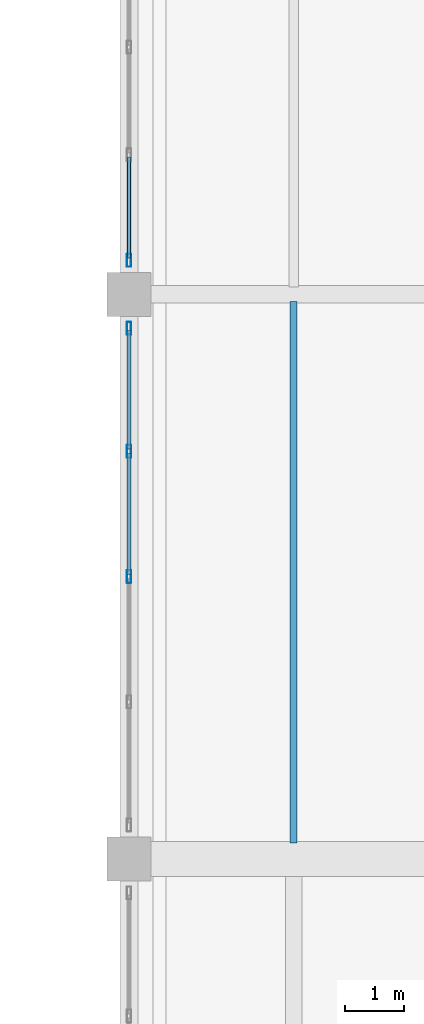
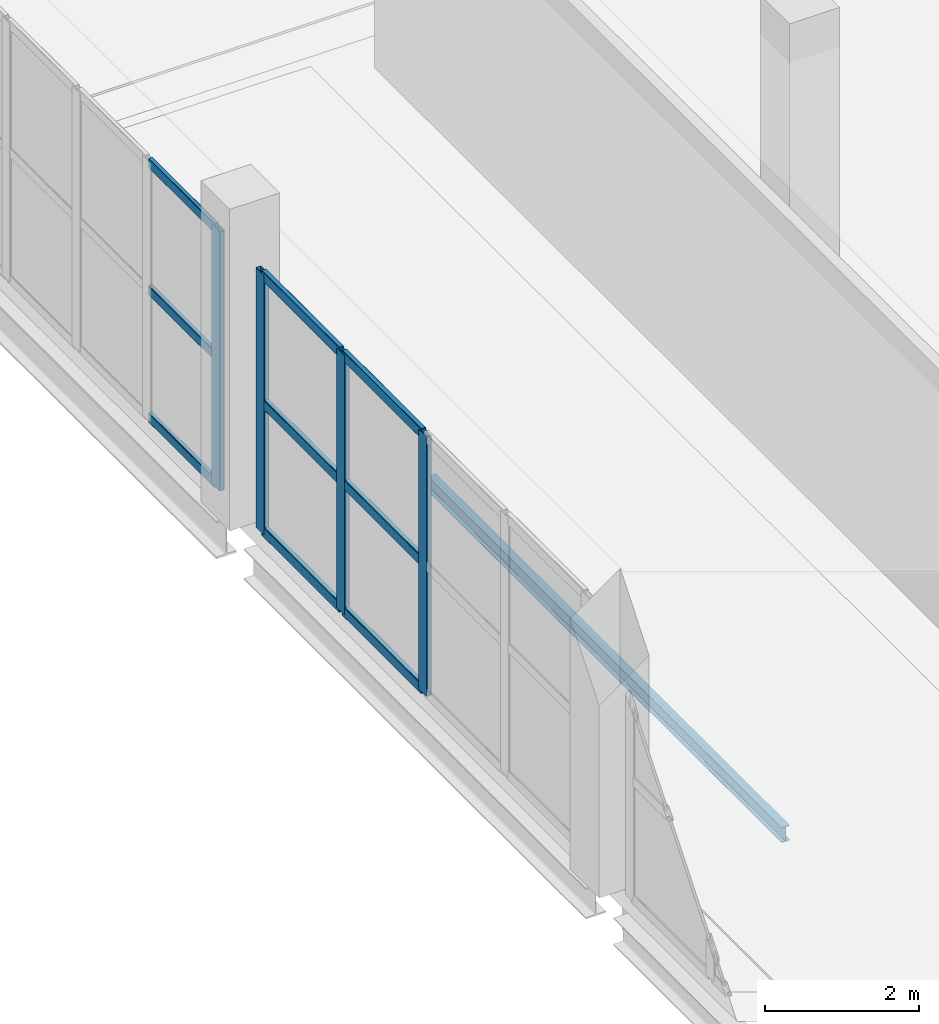
# One storey, part 46 of 77: 13 members, 1 beam, 2 elements without a shape of their own.
"""IFC4 building model written with IfcOpenShell, lengths in metres."""

from ifc_helpers import new_model, si_unit, direction, frame, origin, origin_2d, place, context, subcontext, project, spatial, hollow_rectangle, i_section, extrude, material, layer, layer_set, material_profile, profile_set, type_object, element, aggregate, save


model = new_model("IFC4")

# Units and contexts
model_context = context("Model", 3, precision=1e-05, world=origin(), true_north=direction((0.0, 1.0)))
body_context = subcontext(model_context, "Body", "Model", "MODEL_VIEW")
ifc_project = project(units=[si_unit("LENGTHUNIT", "METRE"), si_unit("AREAUNIT", "SQUARE_METRE"), si_unit("VOLUMEUNIT", "CUBIC_METRE"), si_unit("PLANEANGLEUNIT", "RADIAN"), si_unit("MASSUNIT", "GRAM", prefix="KILO")], contexts=[model_context])

# Site, building, storey
site_placement = place(None, origin())
site = spatial("IfcSite", under=ifc_project, at=site_placement, CompositionType="ELEMENT")
building_placement = place(site_placement, origin())
building = spatial("IfcBuilding", under=site, at=building_placement, Name="Zulmaris Art Gallery", CompositionType="ELEMENT")
storey_placement = place(building_placement, frame((0.0, 0.0, 15.60009765625)))
storey = spatial("IfcBuildingStorey", under=building, at=storey_placement, Name="L03", CompositionType="ELEMENT", Elevation=15.60009765625)

# Beam
ifc_material_1 = material(Name="Steel S355J2", Category="steel")
ifc_material_profile_1 = material_profile(ifc_material_1, i_section(OverallWidth=0.1201171875, OverallDepth=0.239990234375, WebThickness=0.006103515625, FlangeThickness=0.009765625, FilletRadius=0.014892578125, at=origin_2d()), Name="IPE 240")
ifc_profile_set_1 = profile_set([ifc_material_profile_1], Name="Steel S355J2")
beam_type = type_object("IfcBeamType", Name="BEAM-JS01", PredefinedType="JOIST", material=ifc_profile_set_1)
beam_placement = place(storey_placement, frame((186.39990234375, 41.074951171875, -0.489990234375), z_axis=(0.0, 1.0, 0.0), x_axis=(-1.0, 0.0, 0.0)))
element("IfcBeam", 1, at=beam_placement, inside=storey, type_object=beam_type, Name="L03 secondary joist at x=186.4", PredefinedType="JOIST", context=body_context, shape_type="SweptSolid", body=[
    extrude(i_section(OverallWidth=0.1201171875, OverallDepth=0.239990234375, WebThickness=0.006103515625, FlangeThickness=0.009765625, FilletRadius=0.014892578125, at=origin_2d()), origin(), (0.0, 0.0, 1.0), 9.199951171875),
])

# Curtain wall, members
ifc_material_2 = material(Name="Courtyard Artists Studio Curtain Wall", Category="aluminium")
ifc_layer = layer(ifc_material_2, 0.179931640625)
ifc_layer_set = layer_set([ifc_layer], Name="Courtyard Artists Studio Curtain Wall")
curtain_wall_type = type_object("IfcCurtainWallType", Name="CW-CW04", PredefinedType="NOTDEFINED", material=ifc_layer_set)
curtain_wall_1_placement = place(storey_placement, origin())
curtain_wall_1 = element("IfcCurtainWall", 2, at=curtain_wall_1_placement, inside=storey, type_object=curtain_wall_type, Name="L03 curtain wall 150", PredefinedType="NOTDEFINED")
ifc_material_3 = material(Name="Anodised Bronze Aluminium", Category="aluminium")
ifc_material_profile_2 = material_profile(ifc_material_3, hollow_rectangle(XDim=0.074951171875, YDim=0.219970703125, WallThickness=0.0048828125, InnerFilletRadius=0.007568359375, OuterFilletRadius=0.012451171875, at=origin_2d()), Name="ALU 75x220x5")
ifc_profile_set_2 = profile_set([ifc_material_profile_2], Name="Anodised Bronze Aluminium")
member_type_1 = type_object("IfcMemberType", Name="CWMUL-02", PredefinedType="MULLION", material=ifc_profile_set_2)
member_1_placement = place(storey_placement, frame((183.60009765625, 49.822509765625, 0.0), z_axis=(0.0, 0.0, 1.0), x_axis=(1.0, 0.0, 0.0)))
member_1 = element("IfcMember", 3, at=member_1_placement, type_object=member_type_1, Name="CW04 mullion 1", PredefinedType="MULLION", context=body_context, shape_type="SweptSolid", body=[
    extrude(hollow_rectangle(XDim=0.074951171875, YDim=0.219970703125, WallThickness=0.0048828125, InnerFilletRadius=0.007568359375, OuterFilletRadius=0.012451171875, at=origin_2d()), origin(), (0.0, 0.0, 1.0), 4.119873046875),
])
member_2_placement = place(storey_placement, frame((183.60009765625, 47.72998046875, 0.0), z_axis=(0.0, 0.0, 1.0), x_axis=(1.0, 0.0, 0.0)))
member_2 = element("IfcMember", 4, at=member_2_placement, type_object=member_type_1, Name="CW04 mullion 2", PredefinedType="MULLION", context=body_context, shape_type="SweptSolid", body=[
    extrude(hollow_rectangle(XDim=0.074951171875, YDim=0.219970703125, WallThickness=0.0048828125, InnerFilletRadius=0.007568359375, OuterFilletRadius=0.012451171875, at=origin_2d()), origin(), (0.0, 0.0, 1.0), 4.119873046875),
])
member_3_placement = place(storey_placement, frame((183.60009765625, 45.60009765625, 0.0), z_axis=(0.0, 0.0, 1.0), x_axis=(1.0, 0.0, 0.0)))
member_3 = element("IfcMember", 5, at=member_3_placement, type_object=member_type_1, Name="CW04 mullion 3", PredefinedType="MULLION", context=body_context, shape_type="SweptSolid", body=[
    extrude(hollow_rectangle(XDim=0.074951171875, YDim=0.219970703125, WallThickness=0.0048828125, InnerFilletRadius=0.007568359375, OuterFilletRadius=0.012451171875, at=origin_2d()), origin(), (0.0, 0.0, 1.0), 4.119873046875),
])

curtain_wall_2_placement = place(storey_placement, origin())
curtain_wall_2 = element("IfcCurtainWall", 6, at=curtain_wall_2_placement, inside=storey, type_object=curtain_wall_type, Name="L03 curtain wall 152", PredefinedType="NOTDEFINED")
member_4_placement = place(storey_placement, frame((183.60009765625, 50.9775390625, 0.0), z_axis=(0.0, 0.0, 1.0), x_axis=(1.0, 0.0, 0.0)))
member_4 = element("IfcMember", 7, at=member_4_placement, type_object=member_type_1, Name="CW04 mullion 5", PredefinedType="MULLION", context=body_context, shape_type="SweptSolid", body=[
    extrude(hollow_rectangle(XDim=0.074951171875, YDim=0.219970703125, WallThickness=0.0048828125, InnerFilletRadius=0.007568359375, OuterFilletRadius=0.012451171875, at=origin_2d()), origin(), (0.0, 0.0, 1.0), 4.10986328125),
])
ifc_material_profile_3 = material_profile(ifc_material_3, hollow_rectangle(XDim=0.06494140625, YDim=0.14990234375, WallThickness=0.00390625, InnerFilletRadius=0.006103515625, OuterFilletRadius=0.010009765625, at=origin_2d()), Name="ALU 65x150x4")
ifc_profile_set_3 = profile_set([ifc_material_profile_3], Name="Anodised Bronze Aluminium")
member_type_2 = type_object("IfcMemberType", Name="CWTRN-01", PredefinedType="USERDEFINED", material=ifc_profile_set_3)
member_5_placement = place(storey_placement, frame((183.60009765625, 52.732421875, 0.037353515625), z_axis=(0.0, -1.0, 0.0), x_axis=(1.0, 0.0, 0.0)))
member_5 = element("IfcMember", 8, at=member_5_placement, type_object=member_type_2, Name="CW04 transom 4.1", ObjectType="TRANSOM", PredefinedType="USERDEFINED", context=body_context, shape_type="SweptSolid", body=[
    extrude(hollow_rectangle(XDim=0.06494140625, YDim=0.14990234375, WallThickness=0.00390625, InnerFilletRadius=0.006103515625, OuterFilletRadius=0.010009765625, at=origin_2d()), origin(), (0.0, 0.0, 1.0), 1.717529296875),
])
member_6_placement = place(storey_placement, frame((183.60009765625, 52.732421875, 2.054931640625), z_axis=(0.0, -1.0, 0.0), x_axis=(1.0, 0.0, 0.0)))
member_6 = element("IfcMember", 9, at=member_6_placement, type_object=member_type_2, Name="CW04 transom 4.2", ObjectType="TRANSOM", PredefinedType="USERDEFINED", context=body_context, shape_type="SweptSolid", body=[
    extrude(hollow_rectangle(XDim=0.06494140625, YDim=0.14990234375, WallThickness=0.00390625, InnerFilletRadius=0.006103515625, OuterFilletRadius=0.010009765625, at=origin_2d()), origin(), (0.0, 0.0, 1.0), 1.717529296875),
])
member_7_placement = place(storey_placement, frame((183.60009765625, 52.732421875, 4.072509765625), z_axis=(0.0, -1.0, 0.0), x_axis=(1.0, 0.0, 0.0)))
member_7 = element("IfcMember", 10, at=member_7_placement, type_object=member_type_2, Name="CW04 transom 4.3", ObjectType="TRANSOM", PredefinedType="USERDEFINED", context=body_context, shape_type="SweptSolid", body=[
    extrude(hollow_rectangle(XDim=0.06494140625, YDim=0.14990234375, WallThickness=0.00390625, InnerFilletRadius=0.006103515625, OuterFilletRadius=0.010009765625, at=origin_2d()), origin(), (0.0, 0.0, 1.0), 1.717529296875),
])
aggregate(curtain_wall_2, [member_4, member_5, member_6, member_7])

# Member
ifc_material_profile_4 = material_profile(ifc_material_3, hollow_rectangle(XDim=0.074951171875, YDim=0.159912109375, WallThickness=0.00390625, InnerFilletRadius=0.006103515625, OuterFilletRadius=0.010009765625, at=origin_2d()), Name="ALU 75x160x4")
ifc_profile_set_4 = profile_set([ifc_material_profile_4], Name="Anodised Bronze Aluminium")
member_type_3 = type_object("IfcMemberType", Name="CWTRN-02", PredefinedType="USERDEFINED", material=ifc_profile_set_4)
member_8_placement = place(storey_placement, frame((183.60009765625, 49.784912109375, 0.037353515625), z_axis=(0.0, -1.0, 0.0), x_axis=(1.0, 0.0, 0.0)))
member_8 = element("IfcMember", 11, at=member_8_placement, type_object=member_type_3, Name="CW04 transom 1.1", ObjectType="TRANSOM", PredefinedType="USERDEFINED", context=body_context, shape_type="SweptSolid", body=[
    extrude(hollow_rectangle(XDim=0.074951171875, YDim=0.159912109375, WallThickness=0.00390625, InnerFilletRadius=0.006103515625, OuterFilletRadius=0.010009765625, at=origin_2d()), origin(), (0.0, 0.0, 1.0), 2.017333984375),
])

member_9_placement = place(storey_placement, frame((183.60009765625, 49.784912109375, 2.059814453125), z_axis=(0.0, -1.0, 0.0), x_axis=(1.0, 0.0, 0.0)))
member_9 = element("IfcMember", 12, at=member_9_placement, type_object=member_type_3, Name="CW04 transom 1.2", ObjectType="TRANSOM", PredefinedType="USERDEFINED", context=body_context, shape_type="SweptSolid", body=[
    extrude(hollow_rectangle(XDim=0.074951171875, YDim=0.159912109375, WallThickness=0.00390625, InnerFilletRadius=0.006103515625, OuterFilletRadius=0.010009765625, at=origin_2d()), origin(), (0.0, 0.0, 1.0), 2.017333984375),
])

member_10_placement = place(storey_placement, frame((183.60009765625, 49.784912109375, 4.08251953125), z_axis=(0.0, -1.0, 0.0), x_axis=(1.0, 0.0, 0.0)))
member_10 = element("IfcMember", 13, at=member_10_placement, type_object=member_type_3, Name="CW04 transom 1.3", ObjectType="TRANSOM", PredefinedType="USERDEFINED", context=body_context, shape_type="SweptSolid", body=[
    extrude(hollow_rectangle(XDim=0.074951171875, YDim=0.159912109375, WallThickness=0.00390625, InnerFilletRadius=0.006103515625, OuterFilletRadius=0.010009765625, at=origin_2d()), origin(), (0.0, 0.0, 1.0), 2.017333984375),
])

member_11_placement = place(storey_placement, frame((183.60009765625, 47.6923828125, 0.037353515625), z_axis=(0.0, -1.0, 0.0), x_axis=(1.0, 0.0, 0.0)))
member_11 = element("IfcMember", 14, at=member_11_placement, type_object=member_type_3, Name="CW04 transom 2.1", ObjectType="TRANSOM", PredefinedType="USERDEFINED", context=body_context, shape_type="SweptSolid", body=[
    extrude(hollow_rectangle(XDim=0.074951171875, YDim=0.159912109375, WallThickness=0.00390625, InnerFilletRadius=0.006103515625, OuterFilletRadius=0.010009765625, at=origin_2d()), origin(), (0.0, 0.0, 1.0), 2.054931640625),
])

member_12_placement = place(storey_placement, frame((183.60009765625, 47.6923828125, 2.059814453125), z_axis=(0.0, -1.0, 0.0), x_axis=(1.0, 0.0, 0.0)))
member_12 = element("IfcMember", 15, at=member_12_placement, type_object=member_type_3, Name="CW04 transom 2.2", ObjectType="TRANSOM", PredefinedType="USERDEFINED", context=body_context, shape_type="SweptSolid", body=[
    extrude(hollow_rectangle(XDim=0.074951171875, YDim=0.159912109375, WallThickness=0.00390625, InnerFilletRadius=0.006103515625, OuterFilletRadius=0.010009765625, at=origin_2d()), origin(), (0.0, 0.0, 1.0), 2.054931640625),
])

member_13_placement = place(storey_placement, frame((183.60009765625, 47.6923828125, 4.08251953125), z_axis=(0.0, -1.0, 0.0), x_axis=(1.0, 0.0, 0.0)))
member_13 = element("IfcMember", 16, at=member_13_placement, type_object=member_type_3, Name="CW04 transom 2.3", ObjectType="TRANSOM", PredefinedType="USERDEFINED", context=body_context, shape_type="SweptSolid", body=[
    extrude(hollow_rectangle(XDim=0.074951171875, YDim=0.159912109375, WallThickness=0.00390625, InnerFilletRadius=0.006103515625, OuterFilletRadius=0.010009765625, at=origin_2d()), origin(), (0.0, 0.0, 1.0), 2.054931640625),
])

aggregate(curtain_wall_1, [member_1, member_2, member_3, member_8, member_9, member_10, member_11, member_12, member_13])

save(model, "model.ifc")
